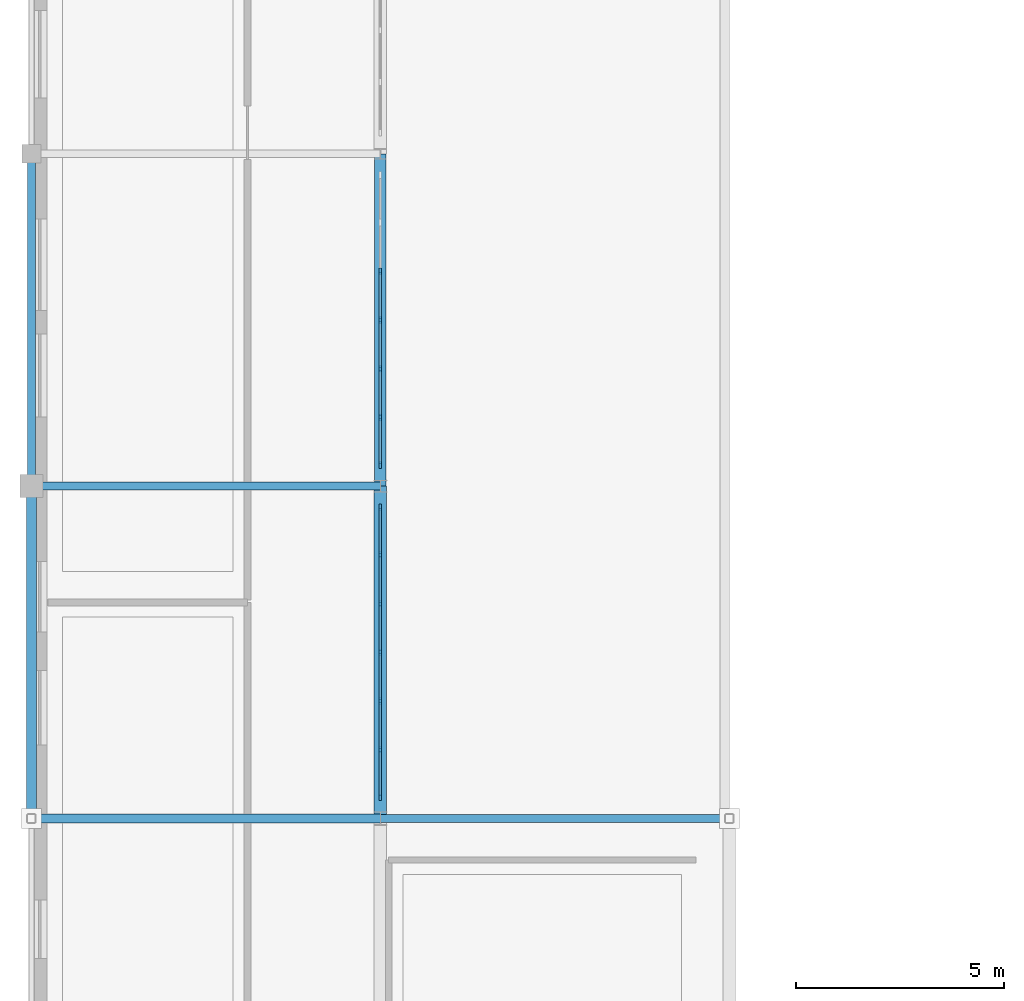
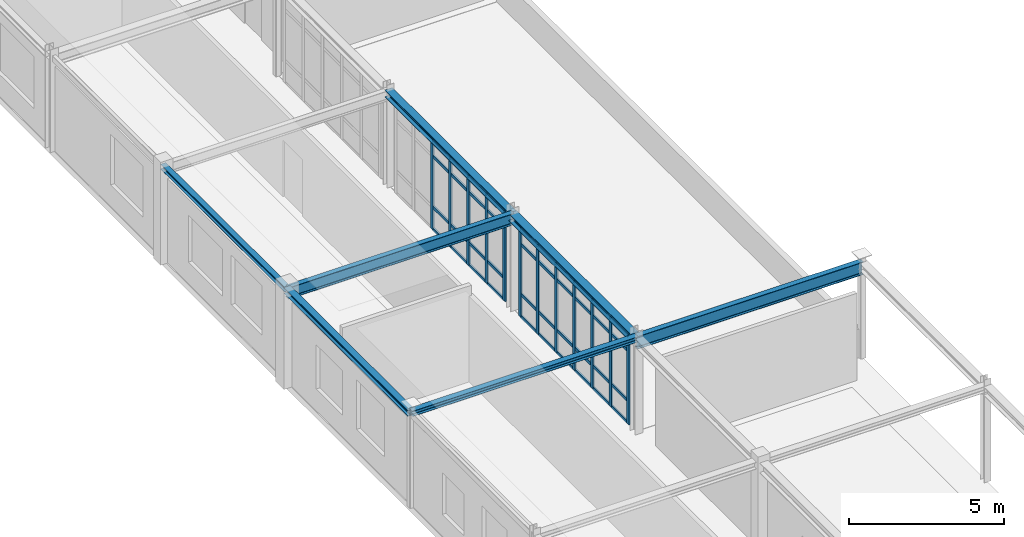
# One storey, part 11 of 58: 52 members, 7 beams, 2 elements without a shape of their own.
"""IFC4 building model written with IfcOpenShell, lengths in metres."""

from ifc_helpers import new_model, si_unit, derived_unit, direction, frame, origin, origin_2d, place, context, subcontext, project, spatial, rectangle, i_section, extrude, material, layer, layer_set, material_profile, profile_set, type_object, element, aggregate, save


model = new_model("IFC4")

# Units and contexts
model_context = context("Model", 3, precision=1e-05, world=origin(), true_north=direction((0.0, 1.0)))
body_context = subcontext(model_context, "Body", "Model", "MODEL_VIEW")
ifc_project = project(units=[si_unit("LENGTHUNIT", "METRE"), si_unit("AREAUNIT", "SQUARE_METRE"), si_unit("VOLUMEUNIT", "CUBIC_METRE"), si_unit("PLANEANGLEUNIT", "RADIAN"), si_unit("MASSUNIT", "GRAM", prefix="KILO"), derived_unit("THERMALTRANSMITTANCEUNIT", [(si_unit("POWERUNIT", "WATT"), 1), (si_unit("AREAUNIT", "SQUARE_METRE"), -1), (si_unit("THERMODYNAMICTEMPERATUREUNIT", "KELVIN"), -1)])], contexts=[model_context])

# Site, building, storey
site_placement = place(None, origin())
site = spatial("IfcSite", under=ifc_project, at=site_placement, CompositionType="ELEMENT")
building_placement = place(site_placement, origin())
building = spatial("IfcBuilding", under=site, at=building_placement, Name="Yasenodar Specialist Clinic", CompositionType="ELEMENT")
storey_placement = place(building_placement, frame((0.0, 0.0, 21.300048828125)))
storey = spatial("IfcBuildingStorey", under=building, at=storey_placement, Name="L05", CompositionType="ELEMENT", Elevation=21.300048828125)

# Beams
ifc_material_1 = material(Name="Steel S355", Category="steel")
ifc_material_profile_1 = material_profile(ifc_material_1, i_section(OverallWidth=0.219970703125, OverallDepth=0.2099609375, WebThickness=0.007080078125, FlangeThickness=0.010986328125, FilletRadius=0.01806640625, at=origin_2d()), Name="HEA 220")
ifc_profile_set_1 = profile_set([ifc_material_profile_1], Name="Steel S355")
beam_type_1 = type_object("IfcBeamType", Name="BM-HEA220", PredefinedType="BEAM", material=ifc_profile_set_1)
beam_1_placement = place(storey_placement, frame((0.0, 66.800048828125, 3.695068359375), z_axis=(1.0, 0.0, 0.0), x_axis=(0.0, 1.0, 0.0)))
element("IfcBeam", 1, at=beam_1_placement, inside=storey, type_object=beam_type_1, Name="L05 Primary E-W Girder", PredefinedType="BEAM", context=body_context, shape_type="SweptSolid", body=[
    extrude(i_section(OverallWidth=0.219970703125, OverallDepth=0.2099609375, WebThickness=0.007080078125, FlangeThickness=0.010986328125, FilletRadius=0.01806640625, at=origin_2d()), origin(), (0.0, 0.0, 1.0), 8.39990234375),
])
ifc_material_profile_2 = material_profile(ifc_material_1, i_section(OverallWidth=0.280029296875, OverallDepth=0.280029296875, WebThickness=0.010498046875, FlangeThickness=0.01806640625, FilletRadius=0.02392578125, at=origin_2d()), Name="HEB 280")
ifc_profile_set_2 = profile_set([ifc_material_profile_2], Name="Steel S355")
beam_type_2 = type_object("IfcBeamType", Name="BM-HEB280", PredefinedType="BEAM", material=ifc_profile_set_2)
beam_2_placement = place(storey_placement, frame((8.39990234375, 74.800048828125, 3.659912109375), z_axis=(0.0, 1.0, 0.0), x_axis=(-1.0, 0.0, 0.0)))
element("IfcBeam", 2, at=beam_2_placement, inside=storey, type_object=beam_type_2, Name="L05 Primary N-S Girder", PredefinedType="BEAM", context=body_context, shape_type="SweptSolid", body=[
    extrude(i_section(OverallWidth=0.280029296875, OverallDepth=0.280029296875, WebThickness=0.010498046875, FlangeThickness=0.01806640625, FilletRadius=0.02392578125, at=origin_2d()), origin(), (0.0, 0.0, 1.0), 8.0),
])
ifc_material_profile_3 = material_profile(ifc_material_1, i_section(OverallWidth=0.300048828125, OverallDepth=0.300048828125, WebThickness=0.010986328125, FlangeThickness=0.01904296875, FilletRadius=0.027099609375, at=origin_2d()), Name="HEB 300")
ifc_profile_set_3 = profile_set([ifc_material_profile_3], Name="Steel S355")
beam_type_3 = type_object("IfcBeamType", Name="BM-HEB300", PredefinedType="BEAM", material=ifc_profile_set_3)
beam_3_placement = place(storey_placement, frame((8.39990234375, 66.800048828125, 3.64990234375), z_axis=(0.0, 1.0, 0.0), x_axis=(-1.0, 0.0, 0.0)))
element("IfcBeam", 3, at=beam_3_placement, inside=storey, type_object=beam_type_3, Name="L05 Primary N-S Girder", PredefinedType="BEAM", context=body_context, shape_type="SweptSolid", body=[
    extrude(i_section(OverallWidth=0.300048828125, OverallDepth=0.300048828125, WebThickness=0.010986328125, FlangeThickness=0.01904296875, FilletRadius=0.027099609375, at=origin_2d()), origin(), (0.0, 0.0, 1.0), 8.0),
])
ifc_material_profile_4 = material_profile(ifc_material_1, i_section(OverallWidth=0.18994140625, OverallDepth=0.449951171875, WebThickness=0.009521484375, FlangeThickness=0.0146484375, FilletRadius=0.02099609375, at=origin_2d()), Name="IPE 450")
ifc_profile_set_4 = profile_set([ifc_material_profile_4], Name="Steel S355")
beam_type_4 = type_object("IfcBeamType", Name="BM-IPE450", PredefinedType="BEAM", material=ifc_profile_set_4)
beam_4_placement = place(storey_placement, frame((0.0, 74.800048828125, 3.574951171875), z_axis=(1.0, 0.0, 0.0), x_axis=(0.0, 1.0, 0.0)))
element("IfcBeam", 4, at=beam_4_placement, inside=storey, type_object=beam_type_4, Name="L05 Primary E-W Girder", PredefinedType="BEAM", context=body_context, shape_type="SweptSolid", body=[
    extrude(i_section(OverallWidth=0.18994140625, OverallDepth=0.449951171875, WebThickness=0.009521484375, FlangeThickness=0.0146484375, FilletRadius=0.02099609375, at=origin_2d()), origin(), (0.0, 0.0, 1.0), 8.39990234375),
])
ifc_material_profile_5 = material_profile(ifc_material_1, i_section(OverallWidth=0.199951171875, OverallDepth=0.5, WebThickness=0.01025390625, FlangeThickness=0.01611328125, FilletRadius=0.02099609375, at=origin_2d()), Name="IPE 500")
ifc_profile_set_5 = profile_set([ifc_material_profile_5], Name="Steel S355")
beam_type_5 = type_object("IfcBeamType", Name="BM-IPE500", PredefinedType="BEAM", material=ifc_profile_set_5)
beam_5_placement = place(storey_placement, frame((8.39990234375, 66.800048828125, 3.550048828125), z_axis=(1.0, 0.0, 0.0), x_axis=(0.0, 1.0, 0.0)))
element("IfcBeam", 5, at=beam_5_placement, inside=storey, type_object=beam_type_5, Name="L05 Primary E-W Girder", PredefinedType="BEAM", context=body_context, shape_type="SweptSolid", body=[
    extrude(i_section(OverallWidth=0.199951171875, OverallDepth=0.5, WebThickness=0.01025390625, FlangeThickness=0.01611328125, FilletRadius=0.02099609375, at=origin_2d()), origin(), (0.0, 0.0, 1.0), 8.400146484375),
])

# Curtain wall, members
ifc_material_2 = material(Name="Bronze Anodized Aluminium and Triple Low-E Glass", Category="aluminium")
ifc_layer = layer(ifc_material_2, 0.202880859375)
ifc_layer_set = layer_set([ifc_layer], Name="Bronze Anodized Aluminium and Triple Low-E Glass")
curtain_wall_type = type_object("IfcCurtainWallType", Name="CW-SYS-04", PredefinedType="USERDEFINED", material=ifc_layer_set)
curtain_wall_1_placement = place(storey_placement, origin())
curtain_wall_1 = element("IfcCurtainWall", 6, at=curtain_wall_1_placement, inside=storey, type_object=curtain_wall_type, Name="L05 Unitised Curtain Wall 143", ObjectType="UNITISED CURTAIN WALL", PredefinedType="USERDEFINED")
ifc_material_3 = material(Name="Bronze Anodized Aluminium", Category="aluminium")
ifc_material_profile_6 = material_profile(ifc_material_3, rectangle(XDim=0.06005859375, YDim=0.159912109375, at=origin_2d()), Name="CW-MULL 60x160")
ifc_profile_set_6 = profile_set([ifc_material_profile_6], Name="Bronze Anodized Aluminium")
member_type_1 = type_object("IfcMemberType", Name="CW-MULL-160", PredefinedType="MULLION", material=ifc_profile_set_6)
member_1_placement = place(storey_placement, frame((8.39990234375, 79.973388671875, 0.0), z_axis=(0.0, 0.0, 1.0), x_axis=(1.0, 0.0, 0.0)))
member_1 = element("IfcMember", 7, at=member_1_placement, type_object=member_type_1, Name="CW-04 mullion 3", PredefinedType="MULLION", context=body_context, shape_type="SweptSolid", body=[
    extrude(rectangle(XDim=0.06005859375, YDim=0.159912109375, at=origin_2d()), origin(), (0.0, 0.0, 1.0), 3.498046875),
])
member_2_placement = place(storey_placement, frame((8.39990234375, 78.800048828125, 0.0), z_axis=(0.0, 0.0, 1.0), x_axis=(1.0, 0.0, 0.0)))
member_2 = element("IfcMember", 8, at=member_2_placement, type_object=member_type_1, Name="CW-04 mullion 4", PredefinedType="MULLION", context=body_context, shape_type="SweptSolid", body=[
    extrude(rectangle(XDim=0.06005859375, YDim=0.159912109375, at=origin_2d()), origin(), (0.0, 0.0, 1.0), 3.498046875),
])
member_3_placement = place(storey_placement, frame((8.39990234375, 77.626708984375, 0.0), z_axis=(0.0, 0.0, 1.0), x_axis=(1.0, 0.0, 0.0)))
member_3 = element("IfcMember", 9, at=member_3_placement, type_object=member_type_1, Name="CW-04 mullion 5", PredefinedType="MULLION", context=body_context, shape_type="SweptSolid", body=[
    extrude(rectangle(XDim=0.06005859375, YDim=0.159912109375, at=origin_2d()), origin(), (0.0, 0.0, 1.0), 3.498046875),
])
member_4_placement = place(storey_placement, frame((8.39990234375, 76.453369140625, 0.0), z_axis=(0.0, 0.0, 1.0), x_axis=(1.0, 0.0, 0.0)))
member_4 = element("IfcMember", 10, at=member_4_placement, type_object=member_type_1, Name="CW-04 mullion 6", PredefinedType="MULLION", context=body_context, shape_type="SweptSolid", body=[
    extrude(rectangle(XDim=0.06005859375, YDim=0.159912109375, at=origin_2d()), origin(), (0.0, 0.0, 1.0), 3.498046875),
])
member_5_placement = place(storey_placement, frame((8.39990234375, 75.31005859375, 0.0), z_axis=(0.0, 0.0, 1.0), x_axis=(1.0, 0.0, 0.0)))
member_5 = element("IfcMember", 11, at=member_5_placement, type_object=member_type_1, Name="CW-04 mullion 7", PredefinedType="MULLION", context=body_context, shape_type="SweptSolid", body=[
    extrude(rectangle(XDim=0.06005859375, YDim=0.159912109375, at=origin_2d()), origin(), (0.0, 0.0, 1.0), 3.498046875),
])

curtain_wall_2_placement = place(storey_placement, origin())
curtain_wall_2 = element("IfcCurtainWall", 12, at=curtain_wall_2_placement, inside=storey, type_object=curtain_wall_type, Name="L05 Unitised Curtain Wall 144", ObjectType="UNITISED CURTAIN WALL", PredefinedType="USERDEFINED")
member_6_placement = place(storey_placement, frame((8.39990234375, 74.2900390625, 0.0), z_axis=(0.0, 0.0, 1.0), x_axis=(1.0, 0.0, 0.0)))
member_6 = element("IfcMember", 13, at=member_6_placement, type_object=member_type_1, Name="CW-04 mullion 1", PredefinedType="MULLION", context=body_context, shape_type="SweptSolid", body=[
    extrude(rectangle(XDim=0.06005859375, YDim=0.159912109375, at=origin_2d()), origin(), (0.0, 0.0, 1.0), 3.47802734375),
])
member_7_placement = place(storey_placement, frame((8.39990234375, 73.146728515625, 0.0), z_axis=(0.0, 0.0, 1.0), x_axis=(1.0, 0.0, 0.0)))
member_7 = element("IfcMember", 14, at=member_7_placement, type_object=member_type_1, Name="CW-04 mullion 2", PredefinedType="MULLION", context=body_context, shape_type="SweptSolid", body=[
    extrude(rectangle(XDim=0.06005859375, YDim=0.159912109375, at=origin_2d()), origin(), (0.0, 0.0, 1.0), 3.47802734375),
])
member_8_placement = place(storey_placement, frame((8.39990234375, 71.973388671875, 0.0), z_axis=(0.0, 0.0, 1.0), x_axis=(1.0, 0.0, 0.0)))
member_8 = element("IfcMember", 15, at=member_8_placement, type_object=member_type_1, Name="CW-04 mullion 3", PredefinedType="MULLION", context=body_context, shape_type="SweptSolid", body=[
    extrude(rectangle(XDim=0.06005859375, YDim=0.159912109375, at=origin_2d()), origin(), (0.0, 0.0, 1.0), 3.47802734375),
])
member_9_placement = place(storey_placement, frame((8.39990234375, 70.800048828125, 0.0), z_axis=(0.0, 0.0, 1.0), x_axis=(1.0, 0.0, 0.0)))
member_9 = element("IfcMember", 16, at=member_9_placement, type_object=member_type_1, Name="CW-04 mullion 4", PredefinedType="MULLION", context=body_context, shape_type="SweptSolid", body=[
    extrude(rectangle(XDim=0.06005859375, YDim=0.159912109375, at=origin_2d()), origin(), (0.0, 0.0, 1.0), 3.47802734375),
])
member_10_placement = place(storey_placement, frame((8.39990234375, 69.626708984375, 0.0), z_axis=(0.0, 0.0, 1.0), x_axis=(1.0, 0.0, 0.0)))
member_10 = element("IfcMember", 17, at=member_10_placement, type_object=member_type_1, Name="CW-04 mullion 5", PredefinedType="MULLION", context=body_context, shape_type="SweptSolid", body=[
    extrude(rectangle(XDim=0.06005859375, YDim=0.159912109375, at=origin_2d()), origin(), (0.0, 0.0, 1.0), 3.47802734375),
])
member_11_placement = place(storey_placement, frame((8.39990234375, 68.453369140625, 0.0), z_axis=(0.0, 0.0, 1.0), x_axis=(1.0, 0.0, 0.0)))
member_11 = element("IfcMember", 18, at=member_11_placement, type_object=member_type_1, Name="CW-04 mullion 6", PredefinedType="MULLION", context=body_context, shape_type="SweptSolid", body=[
    extrude(rectangle(XDim=0.06005859375, YDim=0.159912109375, at=origin_2d()), origin(), (0.0, 0.0, 1.0), 3.47802734375),
])
member_12_placement = place(storey_placement, frame((8.39990234375, 67.31005859375, 0.0), z_axis=(0.0, 0.0, 1.0), x_axis=(1.0, 0.0, 0.0)))
member_12 = element("IfcMember", 19, at=member_12_placement, type_object=member_type_1, Name="CW-04 mullion 7", PredefinedType="MULLION", context=body_context, shape_type="SweptSolid", body=[
    extrude(rectangle(XDim=0.06005859375, YDim=0.159912109375, at=origin_2d()), origin(), (0.0, 0.0, 1.0), 3.47802734375),
])

# Member
ifc_material_profile_7 = material_profile(ifc_material_3, rectangle(XDim=0.06005859375, YDim=0.1201171875, at=origin_2d()), Name="CW-TRAN 60x120")
ifc_profile_set_7 = profile_set([ifc_material_profile_7], Name="Bronze Anodized Aluminium")
member_type_2 = type_object("IfcMemberType", Name="CW-TRAN-120", PredefinedType="USERDEFINED", material=ifc_profile_set_7)
member_13_placement = place(storey_placement, frame((8.39990234375, 79.943359375, 0.030029296875), z_axis=(0.0, -1.0, 0.0), x_axis=(1.0, 0.0, 0.0)))
member_13 = element("IfcMember", 20, at=member_13_placement, type_object=member_type_2, Name="CW-04 transom 3.1", ObjectType="TRANSOM", PredefinedType="USERDEFINED", context=body_context, shape_type="SweptSolid", body=[
    extrude(rectangle(XDim=0.06005859375, YDim=0.1201171875, at=origin_2d()), origin(), (0.0, 0.0, 1.0), 1.11328125),
])

member_14_placement = place(storey_placement, frame((8.39990234375, 79.943359375, 0.89990234375), z_axis=(0.0, -1.0, 0.0), x_axis=(1.0, 0.0, 0.0)))
member_14 = element("IfcMember", 21, at=member_14_placement, type_object=member_type_2, Name="CW-04 transom 3.2", ObjectType="TRANSOM", PredefinedType="USERDEFINED", context=body_context, shape_type="SweptSolid", body=[
    extrude(rectangle(XDim=0.06005859375, YDim=0.1201171875, at=origin_2d()), origin(), (0.0, 0.0, 1.0), 1.11328125),
])

member_15_placement = place(storey_placement, frame((8.39990234375, 79.943359375, 2.89794921875), z_axis=(0.0, -1.0, 0.0), x_axis=(1.0, 0.0, 0.0)))
member_15 = element("IfcMember", 22, at=member_15_placement, type_object=member_type_2, Name="CW-04 transom 3.3", ObjectType="TRANSOM", PredefinedType="USERDEFINED", context=body_context, shape_type="SweptSolid", body=[
    extrude(rectangle(XDim=0.06005859375, YDim=0.1201171875, at=origin_2d()), origin(), (0.0, 0.0, 1.0), 1.11328125),
])

member_16_placement = place(storey_placement, frame((8.39990234375, 79.943359375, 3.468017578125), z_axis=(0.0, -1.0, 0.0), x_axis=(1.0, 0.0, 0.0)))
member_16 = element("IfcMember", 23, at=member_16_placement, type_object=member_type_2, Name="CW-04 transom 3.4", ObjectType="TRANSOM", PredefinedType="USERDEFINED", context=body_context, shape_type="SweptSolid", body=[
    extrude(rectangle(XDim=0.06005859375, YDim=0.1201171875, at=origin_2d()), origin(), (0.0, 0.0, 1.0), 1.11328125),
])

member_17_placement = place(storey_placement, frame((8.39990234375, 78.77001953125, 0.030029296875), z_axis=(0.0, -1.0, 0.0), x_axis=(1.0, 0.0, 0.0)))
member_17 = element("IfcMember", 24, at=member_17_placement, type_object=member_type_2, Name="CW-04 transom 4.1", ObjectType="TRANSOM", PredefinedType="USERDEFINED", context=body_context, shape_type="SweptSolid", body=[
    extrude(rectangle(XDim=0.06005859375, YDim=0.1201171875, at=origin_2d()), origin(), (0.0, 0.0, 1.0), 1.11328125),
])

member_18_placement = place(storey_placement, frame((8.39990234375, 78.77001953125, 0.89990234375), z_axis=(0.0, -1.0, 0.0), x_axis=(1.0, 0.0, 0.0)))
member_18 = element("IfcMember", 25, at=member_18_placement, type_object=member_type_2, Name="CW-04 transom 4.2", ObjectType="TRANSOM", PredefinedType="USERDEFINED", context=body_context, shape_type="SweptSolid", body=[
    extrude(rectangle(XDim=0.06005859375, YDim=0.1201171875, at=origin_2d()), origin(), (0.0, 0.0, 1.0), 1.11328125),
])

member_19_placement = place(storey_placement, frame((8.39990234375, 78.77001953125, 2.89794921875), z_axis=(0.0, -1.0, 0.0), x_axis=(1.0, 0.0, 0.0)))
member_19 = element("IfcMember", 26, at=member_19_placement, type_object=member_type_2, Name="CW-04 transom 4.3", ObjectType="TRANSOM", PredefinedType="USERDEFINED", context=body_context, shape_type="SweptSolid", body=[
    extrude(rectangle(XDim=0.06005859375, YDim=0.1201171875, at=origin_2d()), origin(), (0.0, 0.0, 1.0), 1.11328125),
])

member_20_placement = place(storey_placement, frame((8.39990234375, 78.77001953125, 3.468017578125), z_axis=(0.0, -1.0, 0.0), x_axis=(1.0, 0.0, 0.0)))
member_20 = element("IfcMember", 27, at=member_20_placement, type_object=member_type_2, Name="CW-04 transom 4.4", ObjectType="TRANSOM", PredefinedType="USERDEFINED", context=body_context, shape_type="SweptSolid", body=[
    extrude(rectangle(XDim=0.06005859375, YDim=0.1201171875, at=origin_2d()), origin(), (0.0, 0.0, 1.0), 1.11328125),
])

member_21_placement = place(storey_placement, frame((8.39990234375, 77.5966796875, 0.030029296875), z_axis=(0.0, -1.0, 0.0), x_axis=(1.0, 0.0, 0.0)))
member_21 = element("IfcMember", 28, at=member_21_placement, type_object=member_type_2, Name="CW-04 transom 5.1", ObjectType="TRANSOM", PredefinedType="USERDEFINED", context=body_context, shape_type="SweptSolid", body=[
    extrude(rectangle(XDim=0.06005859375, YDim=0.1201171875, at=origin_2d()), origin(), (0.0, 0.0, 1.0), 1.11328125),
])

member_22_placement = place(storey_placement, frame((8.39990234375, 77.5966796875, 0.89990234375), z_axis=(0.0, -1.0, 0.0), x_axis=(1.0, 0.0, 0.0)))
member_22 = element("IfcMember", 29, at=member_22_placement, type_object=member_type_2, Name="CW-04 transom 5.2", ObjectType="TRANSOM", PredefinedType="USERDEFINED", context=body_context, shape_type="SweptSolid", body=[
    extrude(rectangle(XDim=0.06005859375, YDim=0.1201171875, at=origin_2d()), origin(), (0.0, 0.0, 1.0), 1.11328125),
])

member_23_placement = place(storey_placement, frame((8.39990234375, 77.5966796875, 2.89794921875), z_axis=(0.0, -1.0, 0.0), x_axis=(1.0, 0.0, 0.0)))
member_23 = element("IfcMember", 30, at=member_23_placement, type_object=member_type_2, Name="CW-04 transom 5.3", ObjectType="TRANSOM", PredefinedType="USERDEFINED", context=body_context, shape_type="SweptSolid", body=[
    extrude(rectangle(XDim=0.06005859375, YDim=0.1201171875, at=origin_2d()), origin(), (0.0, 0.0, 1.0), 1.11328125),
])

member_24_placement = place(storey_placement, frame((8.39990234375, 77.5966796875, 3.468017578125), z_axis=(0.0, -1.0, 0.0), x_axis=(1.0, 0.0, 0.0)))
member_24 = element("IfcMember", 31, at=member_24_placement, type_object=member_type_2, Name="CW-04 transom 5.4", ObjectType="TRANSOM", PredefinedType="USERDEFINED", context=body_context, shape_type="SweptSolid", body=[
    extrude(rectangle(XDim=0.06005859375, YDim=0.1201171875, at=origin_2d()), origin(), (0.0, 0.0, 1.0), 1.11328125),
])

member_25_placement = place(storey_placement, frame((8.39990234375, 76.42333984375, 0.030029296875), z_axis=(0.0, -1.0, 0.0), x_axis=(1.0, 0.0, 0.0)))
member_25 = element("IfcMember", 32, at=member_25_placement, type_object=member_type_2, Name="CW-04 transom 6.1", ObjectType="TRANSOM", PredefinedType="USERDEFINED", context=body_context, shape_type="SweptSolid", body=[
    extrude(rectangle(XDim=0.06005859375, YDim=0.1201171875, at=origin_2d()), origin(), (0.0, 0.0, 1.0), 1.083251953125),
])

member_26_placement = place(storey_placement, frame((8.39990234375, 76.42333984375, 0.89990234375), z_axis=(0.0, -1.0, 0.0), x_axis=(1.0, 0.0, 0.0)))
member_26 = element("IfcMember", 33, at=member_26_placement, type_object=member_type_2, Name="CW-04 transom 6.2", ObjectType="TRANSOM", PredefinedType="USERDEFINED", context=body_context, shape_type="SweptSolid", body=[
    extrude(rectangle(XDim=0.06005859375, YDim=0.1201171875, at=origin_2d()), origin(), (0.0, 0.0, 1.0), 1.083251953125),
])

member_27_placement = place(storey_placement, frame((8.39990234375, 76.42333984375, 2.89794921875), z_axis=(0.0, -1.0, 0.0), x_axis=(1.0, 0.0, 0.0)))
member_27 = element("IfcMember", 34, at=member_27_placement, type_object=member_type_2, Name="CW-04 transom 6.3", ObjectType="TRANSOM", PredefinedType="USERDEFINED", context=body_context, shape_type="SweptSolid", body=[
    extrude(rectangle(XDim=0.06005859375, YDim=0.1201171875, at=origin_2d()), origin(), (0.0, 0.0, 1.0), 1.083251953125),
])

member_28_placement = place(storey_placement, frame((8.39990234375, 76.42333984375, 3.468017578125), z_axis=(0.0, -1.0, 0.0), x_axis=(1.0, 0.0, 0.0)))
member_28 = element("IfcMember", 35, at=member_28_placement, type_object=member_type_2, Name="CW-04 transom 6.4", ObjectType="TRANSOM", PredefinedType="USERDEFINED", context=body_context, shape_type="SweptSolid", body=[
    extrude(rectangle(XDim=0.06005859375, YDim=0.1201171875, at=origin_2d()), origin(), (0.0, 0.0, 1.0), 1.083251953125),
])

aggregate(curtain_wall_1, [member_1, member_2, member_3, member_4, member_5, member_13, member_14, member_15, member_16, member_17, member_18, member_19, member_20, member_21, member_22, member_23, member_24, member_25, member_26, member_27, member_28])

member_29_placement = place(storey_placement, frame((8.39990234375, 74.260009765625, 0.030029296875), z_axis=(0.0, -1.0, 0.0), x_axis=(1.0, 0.0, 0.0)))
member_29 = element("IfcMember", 36, at=member_29_placement, type_object=member_type_2, Name="CW-04 transom 1.1", ObjectType="TRANSOM", PredefinedType="USERDEFINED", context=body_context, shape_type="SweptSolid", body=[
    extrude(rectangle(XDim=0.06005859375, YDim=0.1201171875, at=origin_2d()), origin(), (0.0, 0.0, 1.0), 1.083251953125),
])

member_30_placement = place(storey_placement, frame((8.39990234375, 74.260009765625, 0.89990234375), z_axis=(0.0, -1.0, 0.0), x_axis=(1.0, 0.0, 0.0)))
member_30 = element("IfcMember", 37, at=member_30_placement, type_object=member_type_2, Name="CW-04 transom 1.2", ObjectType="TRANSOM", PredefinedType="USERDEFINED", context=body_context, shape_type="SweptSolid", body=[
    extrude(rectangle(XDim=0.06005859375, YDim=0.1201171875, at=origin_2d()), origin(), (0.0, 0.0, 1.0), 1.083251953125),
])

member_31_placement = place(storey_placement, frame((8.39990234375, 74.260009765625, 2.8779296875), z_axis=(0.0, -1.0, 0.0), x_axis=(1.0, 0.0, 0.0)))
member_31 = element("IfcMember", 38, at=member_31_placement, type_object=member_type_2, Name="CW-04 transom 1.3", ObjectType="TRANSOM", PredefinedType="USERDEFINED", context=body_context, shape_type="SweptSolid", body=[
    extrude(rectangle(XDim=0.06005859375, YDim=0.1201171875, at=origin_2d()), origin(), (0.0, 0.0, 1.0), 1.083251953125),
])

member_32_placement = place(storey_placement, frame((8.39990234375, 74.260009765625, 3.447998046875), z_axis=(0.0, -1.0, 0.0), x_axis=(1.0, 0.0, 0.0)))
member_32 = element("IfcMember", 39, at=member_32_placement, type_object=member_type_2, Name="CW-04 transom 1.4", ObjectType="TRANSOM", PredefinedType="USERDEFINED", context=body_context, shape_type="SweptSolid", body=[
    extrude(rectangle(XDim=0.06005859375, YDim=0.1201171875, at=origin_2d()), origin(), (0.0, 0.0, 1.0), 1.083251953125),
])

member_33_placement = place(storey_placement, frame((8.39990234375, 73.11669921875, 0.030029296875), z_axis=(0.0, -1.0, 0.0), x_axis=(1.0, 0.0, 0.0)))
member_33 = element("IfcMember", 40, at=member_33_placement, type_object=member_type_2, Name="CW-04 transom 2.1", ObjectType="TRANSOM", PredefinedType="USERDEFINED", context=body_context, shape_type="SweptSolid", body=[
    extrude(rectangle(XDim=0.06005859375, YDim=0.1201171875, at=origin_2d()), origin(), (0.0, 0.0, 1.0), 1.11328125),
])

member_34_placement = place(storey_placement, frame((8.39990234375, 73.11669921875, 0.89990234375), z_axis=(0.0, -1.0, 0.0), x_axis=(1.0, 0.0, 0.0)))
member_34 = element("IfcMember", 41, at=member_34_placement, type_object=member_type_2, Name="CW-04 transom 2.2", ObjectType="TRANSOM", PredefinedType="USERDEFINED", context=body_context, shape_type="SweptSolid", body=[
    extrude(rectangle(XDim=0.06005859375, YDim=0.1201171875, at=origin_2d()), origin(), (0.0, 0.0, 1.0), 1.11328125),
])

member_35_placement = place(storey_placement, frame((8.39990234375, 73.11669921875, 2.8779296875), z_axis=(0.0, -1.0, 0.0), x_axis=(1.0, 0.0, 0.0)))
member_35 = element("IfcMember", 42, at=member_35_placement, type_object=member_type_2, Name="CW-04 transom 2.3", ObjectType="TRANSOM", PredefinedType="USERDEFINED", context=body_context, shape_type="SweptSolid", body=[
    extrude(rectangle(XDim=0.06005859375, YDim=0.1201171875, at=origin_2d()), origin(), (0.0, 0.0, 1.0), 1.11328125),
])

member_36_placement = place(storey_placement, frame((8.39990234375, 73.11669921875, 3.447998046875), z_axis=(0.0, -1.0, 0.0), x_axis=(1.0, 0.0, 0.0)))
member_36 = element("IfcMember", 43, at=member_36_placement, type_object=member_type_2, Name="CW-04 transom 2.4", ObjectType="TRANSOM", PredefinedType="USERDEFINED", context=body_context, shape_type="SweptSolid", body=[
    extrude(rectangle(XDim=0.06005859375, YDim=0.1201171875, at=origin_2d()), origin(), (0.0, 0.0, 1.0), 1.11328125),
])

member_37_placement = place(storey_placement, frame((8.39990234375, 71.943359375, 0.030029296875), z_axis=(0.0, -1.0, 0.0), x_axis=(1.0, 0.0, 0.0)))
member_37 = element("IfcMember", 44, at=member_37_placement, type_object=member_type_2, Name="CW-04 transom 3.1", ObjectType="TRANSOM", PredefinedType="USERDEFINED", context=body_context, shape_type="SweptSolid", body=[
    extrude(rectangle(XDim=0.06005859375, YDim=0.1201171875, at=origin_2d()), origin(), (0.0, 0.0, 1.0), 1.11328125),
])

member_38_placement = place(storey_placement, frame((8.39990234375, 71.943359375, 0.89990234375), z_axis=(0.0, -1.0, 0.0), x_axis=(1.0, 0.0, 0.0)))
member_38 = element("IfcMember", 45, at=member_38_placement, type_object=member_type_2, Name="CW-04 transom 3.2", ObjectType="TRANSOM", PredefinedType="USERDEFINED", context=body_context, shape_type="SweptSolid", body=[
    extrude(rectangle(XDim=0.06005859375, YDim=0.1201171875, at=origin_2d()), origin(), (0.0, 0.0, 1.0), 1.11328125),
])

member_39_placement = place(storey_placement, frame((8.39990234375, 71.943359375, 2.8779296875), z_axis=(0.0, -1.0, 0.0), x_axis=(1.0, 0.0, 0.0)))
member_39 = element("IfcMember", 46, at=member_39_placement, type_object=member_type_2, Name="CW-04 transom 3.3", ObjectType="TRANSOM", PredefinedType="USERDEFINED", context=body_context, shape_type="SweptSolid", body=[
    extrude(rectangle(XDim=0.06005859375, YDim=0.1201171875, at=origin_2d()), origin(), (0.0, 0.0, 1.0), 1.11328125),
])

member_40_placement = place(storey_placement, frame((8.39990234375, 71.943359375, 3.447998046875), z_axis=(0.0, -1.0, 0.0), x_axis=(1.0, 0.0, 0.0)))
member_40 = element("IfcMember", 47, at=member_40_placement, type_object=member_type_2, Name="CW-04 transom 3.4", ObjectType="TRANSOM", PredefinedType="USERDEFINED", context=body_context, shape_type="SweptSolid", body=[
    extrude(rectangle(XDim=0.06005859375, YDim=0.1201171875, at=origin_2d()), origin(), (0.0, 0.0, 1.0), 1.11328125),
])

member_41_placement = place(storey_placement, frame((8.39990234375, 70.77001953125, 0.030029296875), z_axis=(0.0, -1.0, 0.0), x_axis=(1.0, 0.0, 0.0)))
member_41 = element("IfcMember", 48, at=member_41_placement, type_object=member_type_2, Name="CW-04 transom 4.1", ObjectType="TRANSOM", PredefinedType="USERDEFINED", context=body_context, shape_type="SweptSolid", body=[
    extrude(rectangle(XDim=0.06005859375, YDim=0.1201171875, at=origin_2d()), origin(), (0.0, 0.0, 1.0), 1.11328125),
])

member_42_placement = place(storey_placement, frame((8.39990234375, 70.77001953125, 0.89990234375), z_axis=(0.0, -1.0, 0.0), x_axis=(1.0, 0.0, 0.0)))
member_42 = element("IfcMember", 49, at=member_42_placement, type_object=member_type_2, Name="CW-04 transom 4.2", ObjectType="TRANSOM", PredefinedType="USERDEFINED", context=body_context, shape_type="SweptSolid", body=[
    extrude(rectangle(XDim=0.06005859375, YDim=0.1201171875, at=origin_2d()), origin(), (0.0, 0.0, 1.0), 1.11328125),
])

member_43_placement = place(storey_placement, frame((8.39990234375, 70.77001953125, 2.8779296875), z_axis=(0.0, -1.0, 0.0), x_axis=(1.0, 0.0, 0.0)))
member_43 = element("IfcMember", 50, at=member_43_placement, type_object=member_type_2, Name="CW-04 transom 4.3", ObjectType="TRANSOM", PredefinedType="USERDEFINED", context=body_context, shape_type="SweptSolid", body=[
    extrude(rectangle(XDim=0.06005859375, YDim=0.1201171875, at=origin_2d()), origin(), (0.0, 0.0, 1.0), 1.11328125),
])

member_44_placement = place(storey_placement, frame((8.39990234375, 70.77001953125, 3.447998046875), z_axis=(0.0, -1.0, 0.0), x_axis=(1.0, 0.0, 0.0)))
member_44 = element("IfcMember", 51, at=member_44_placement, type_object=member_type_2, Name="CW-04 transom 4.4", ObjectType="TRANSOM", PredefinedType="USERDEFINED", context=body_context, shape_type="SweptSolid", body=[
    extrude(rectangle(XDim=0.06005859375, YDim=0.1201171875, at=origin_2d()), origin(), (0.0, 0.0, 1.0), 1.11328125),
])

member_45_placement = place(storey_placement, frame((8.39990234375, 69.5966796875, 0.030029296875), z_axis=(0.0, -1.0, 0.0), x_axis=(1.0, 0.0, 0.0)))
member_45 = element("IfcMember", 52, at=member_45_placement, type_object=member_type_2, Name="CW-04 transom 5.1", ObjectType="TRANSOM", PredefinedType="USERDEFINED", context=body_context, shape_type="SweptSolid", body=[
    extrude(rectangle(XDim=0.06005859375, YDim=0.1201171875, at=origin_2d()), origin(), (0.0, 0.0, 1.0), 1.11328125),
])

member_46_placement = place(storey_placement, frame((8.39990234375, 69.5966796875, 0.89990234375), z_axis=(0.0, -1.0, 0.0), x_axis=(1.0, 0.0, 0.0)))
member_46 = element("IfcMember", 53, at=member_46_placement, type_object=member_type_2, Name="CW-04 transom 5.2", ObjectType="TRANSOM", PredefinedType="USERDEFINED", context=body_context, shape_type="SweptSolid", body=[
    extrude(rectangle(XDim=0.06005859375, YDim=0.1201171875, at=origin_2d()), origin(), (0.0, 0.0, 1.0), 1.11328125),
])

member_47_placement = place(storey_placement, frame((8.39990234375, 69.5966796875, 2.8779296875), z_axis=(0.0, -1.0, 0.0), x_axis=(1.0, 0.0, 0.0)))
member_47 = element("IfcMember", 54, at=member_47_placement, type_object=member_type_2, Name="CW-04 transom 5.3", ObjectType="TRANSOM", PredefinedType="USERDEFINED", context=body_context, shape_type="SweptSolid", body=[
    extrude(rectangle(XDim=0.06005859375, YDim=0.1201171875, at=origin_2d()), origin(), (0.0, 0.0, 1.0), 1.11328125),
])

member_48_placement = place(storey_placement, frame((8.39990234375, 69.5966796875, 3.447998046875), z_axis=(0.0, -1.0, 0.0), x_axis=(1.0, 0.0, 0.0)))
member_48 = element("IfcMember", 55, at=member_48_placement, type_object=member_type_2, Name="CW-04 transom 5.4", ObjectType="TRANSOM", PredefinedType="USERDEFINED", context=body_context, shape_type="SweptSolid", body=[
    extrude(rectangle(XDim=0.06005859375, YDim=0.1201171875, at=origin_2d()), origin(), (0.0, 0.0, 1.0), 1.11328125),
])

member_49_placement = place(storey_placement, frame((8.39990234375, 68.42333984375, 0.030029296875), z_axis=(0.0, -1.0, 0.0), x_axis=(1.0, 0.0, 0.0)))
member_49 = element("IfcMember", 56, at=member_49_placement, type_object=member_type_2, Name="CW-04 transom 6.1", ObjectType="TRANSOM", PredefinedType="USERDEFINED", context=body_context, shape_type="SweptSolid", body=[
    extrude(rectangle(XDim=0.06005859375, YDim=0.1201171875, at=origin_2d()), origin(), (0.0, 0.0, 1.0), 1.083251953125),
])

member_50_placement = place(storey_placement, frame((8.39990234375, 68.42333984375, 0.89990234375), z_axis=(0.0, -1.0, 0.0), x_axis=(1.0, 0.0, 0.0)))
member_50 = element("IfcMember", 57, at=member_50_placement, type_object=member_type_2, Name="CW-04 transom 6.2", ObjectType="TRANSOM", PredefinedType="USERDEFINED", context=body_context, shape_type="SweptSolid", body=[
    extrude(rectangle(XDim=0.06005859375, YDim=0.1201171875, at=origin_2d()), origin(), (0.0, 0.0, 1.0), 1.083251953125),
])

member_51_placement = place(storey_placement, frame((8.39990234375, 68.42333984375, 2.8779296875), z_axis=(0.0, -1.0, 0.0), x_axis=(1.0, 0.0, 0.0)))
member_51 = element("IfcMember", 58, at=member_51_placement, type_object=member_type_2, Name="CW-04 transom 6.3", ObjectType="TRANSOM", PredefinedType="USERDEFINED", context=body_context, shape_type="SweptSolid", body=[
    extrude(rectangle(XDim=0.06005859375, YDim=0.1201171875, at=origin_2d()), origin(), (0.0, 0.0, 1.0), 1.083251953125),
])

member_52_placement = place(storey_placement, frame((8.39990234375, 68.42333984375, 3.447998046875), z_axis=(0.0, -1.0, 0.0), x_axis=(1.0, 0.0, 0.0)))
member_52 = element("IfcMember", 59, at=member_52_placement, type_object=member_type_2, Name="CW-04 transom 6.4", ObjectType="TRANSOM", PredefinedType="USERDEFINED", context=body_context, shape_type="SweptSolid", body=[
    extrude(rectangle(XDim=0.06005859375, YDim=0.1201171875, at=origin_2d()), origin(), (0.0, 0.0, 1.0), 1.083251953125),
])

aggregate(curtain_wall_2, [member_6, member_7, member_8, member_9, member_10, member_11, member_12, member_29, member_30, member_31, member_32, member_33, member_34, member_35, member_36, member_37, member_38, member_39, member_40, member_41, member_42, member_43, member_44, member_45, member_46, member_47, member_48, member_49, member_50, member_51, member_52])

# Beams
ifc_material_profile_8 = material_profile(ifc_material_1, i_section(OverallWidth=0.199951171875, OverallDepth=0.18994140625, WebThickness=0.006591796875, FlangeThickness=0.010009765625, FilletRadius=0.01806640625, at=origin_2d()), Name="HEA 200")
ifc_profile_set_8 = profile_set([ifc_material_profile_8], Name="Steel S355")
beam_type_6 = type_object("IfcBeamType", Name="SP-HEA200", PredefinedType="SPANDREL", material=ifc_profile_set_8)
beam_6_placement = place(storey_placement, frame((0.0, 74.800048828125, 3.704833984375), z_axis=(0.0, 1.0, 0.0), x_axis=(-1.0, 0.0, 0.0)))
element("IfcBeam", 60, at=beam_6_placement, inside=storey, type_object=beam_type_6, Name="L05 Perimeter Spandrel Beam", PredefinedType="SPANDREL", context=body_context, shape_type="SweptSolid", body=[
    extrude(i_section(OverallWidth=0.199951171875, OverallDepth=0.18994140625, WebThickness=0.006591796875, FlangeThickness=0.010009765625, FilletRadius=0.01806640625, at=origin_2d()), origin(), (0.0, 0.0, 1.0), 8.0),
])
ifc_material_profile_9 = material_profile(ifc_material_1, i_section(OverallWidth=0.239990234375, OverallDepth=0.22998046875, WebThickness=0.007568359375, FlangeThickness=0.011962890625, FilletRadius=0.02099609375, at=origin_2d()), Name="HEA 240")
ifc_profile_set_9 = profile_set([ifc_material_profile_9], Name="Steel S355")
beam_type_7 = type_object("IfcBeamType", Name="SP-HEA240", PredefinedType="SPANDREL", material=ifc_profile_set_9)
beam_7_placement = place(storey_placement, frame((0.0, 66.800048828125, 3.68505859375), z_axis=(0.0, 1.0, 0.0), x_axis=(-1.0, 0.0, 0.0)))
element("IfcBeam", 61, at=beam_7_placement, inside=storey, type_object=beam_type_7, Name="L05 Perimeter Spandrel Beam", PredefinedType="SPANDREL", context=body_context, shape_type="SweptSolid", body=[
    extrude(i_section(OverallWidth=0.239990234375, OverallDepth=0.22998046875, WebThickness=0.007568359375, FlangeThickness=0.011962890625, FilletRadius=0.02099609375, at=origin_2d()), origin(), (0.0, 0.0, 1.0), 8.0),
])

save(model, "model.ifc")
